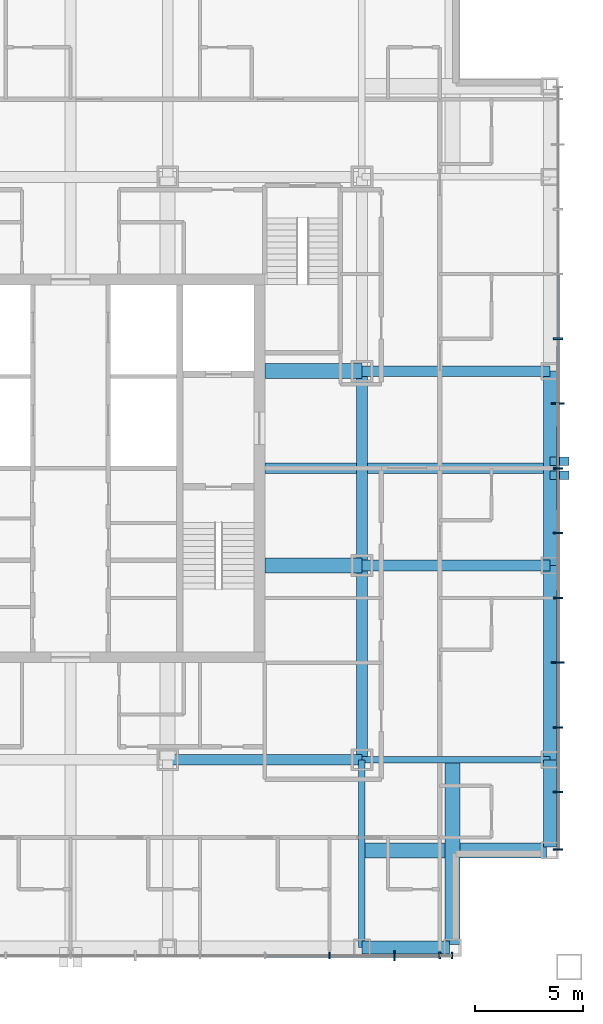
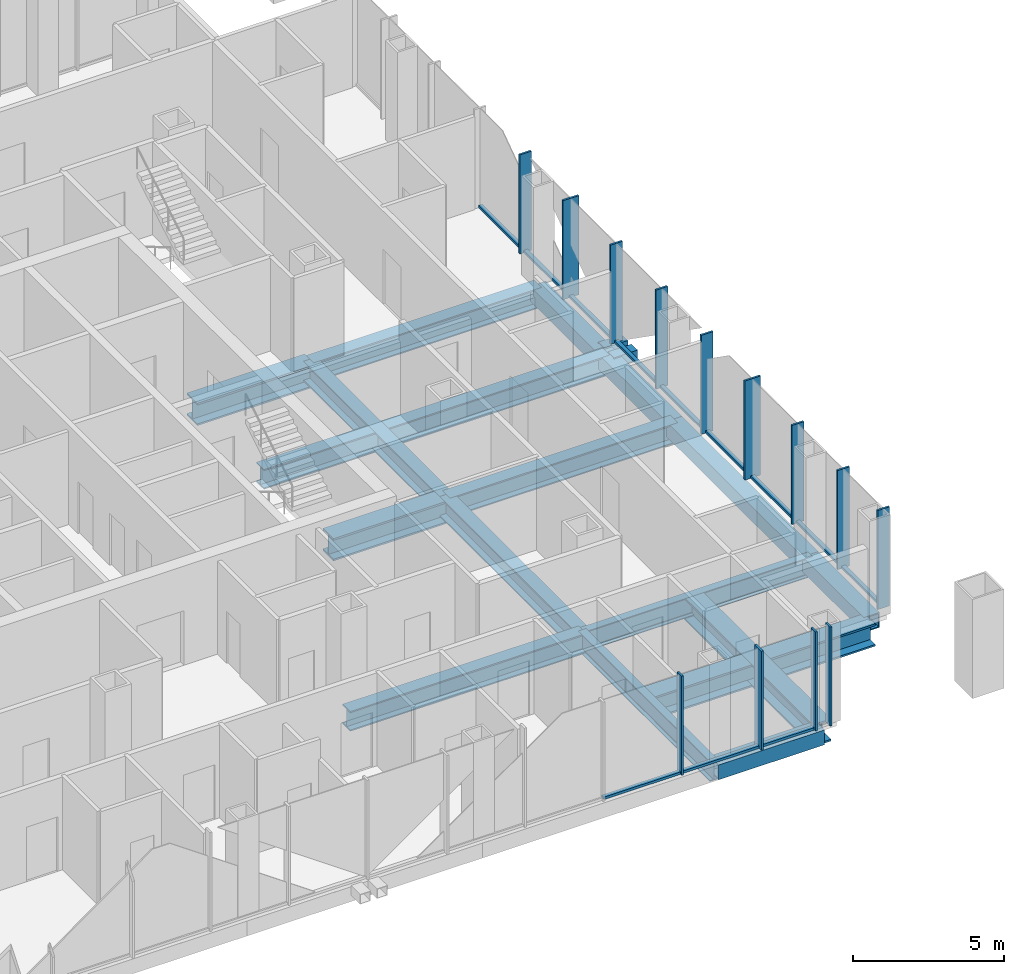
# One storey, part 3 of 17: 27 members, 16 beams, 2 elements without a shape of their own.
"""IFC4 building model written with IfcOpenShell, lengths in metres."""

import ifcopenshell
import ifcopenshell.guid

model = None  # the IFC model being written
_history = None  # IfcOwnerHistory: only IFC2X3 demands one
_inside = {}  # id of a spatial element -> (the spatial element, [elements in it])
_under = {}  # id of a project, library or spatial element -> (it, [spatial elements below it])
_declared = {}  # id of a project -> (the project, [libraries it declares])
_typed = {}  # id of a type object -> (the type object, [elements of that type])
_made_of = {}  # id of a material, layer set ... -> (it, [elements and type objects made of it])


def new_model(schema):
    """Start an empty IFC model of exactly this schema.

    Asked for "IFC4X3", IfcOpenShell would pick the latest addendum, in which some entities
    have other attributes; the version numbers below select the first issue.
    IFC2X3 requires an IfcOwnerHistory on every rooted entity: one is made here for all.
    """
    global model, _history
    if schema == "IFC4X3":
        model = ifcopenshell.file(schema_version=(4, 3, 0, 0))
    else:
        model = ifcopenshell.file(schema=schema)
    _inside.clear()
    _under.clear()
    _declared.clear()
    _typed.clear()
    _made_of.clear()
    _history = None
    if model.schema == "IFC2X3":
        org = make("IfcOrganization", Name="unknown")
        user = make(
            "IfcPersonAndOrganization",
            ThePerson=make("IfcPerson", FamilyName="unknown"),
            TheOrganization=org,
        )
        app = make(
            "IfcApplication",
            ApplicationDeveloper=org,
            Version="unknown",
            ApplicationFullName="unknown",
            ApplicationIdentifier="unknown",
        )
        _history = make(
            "IfcOwnerHistory",
            OwningUser=user,
            OwningApplication=app,
            ChangeAction="ADDED",
            CreationDate=0,
        )
    return model


def make(cls, **values):
    """One entity of the class cls with the attributes given. An attribute that is None is left unset."""
    return model.create_entity(
        cls, **{name: value for name, value in values.items() if value is not None}
    )


def rooted(cls, **values):
    """An entity with a GlobalId (a new one), such as an element, a storey or a relation."""
    return make(cls, GlobalId=ifcopenshell.guid.new(), OwnerHistory=_history, **values)


def si_unit(unit_type, name, prefix=None):
    """IfcSIUnit, for example si_unit("LENGTHUNIT", "METRE", prefix="MILLI")."""
    return make("IfcSIUnit", UnitType=unit_type, Prefix=prefix, Name=name)


def assignment(units):
    """IfcUnitAssignment: the units of a project."""
    return None if units is None else make("IfcUnitAssignment", Units=units)


def point(xyz):
    """IfcCartesianPoint."""
    return None if xyz is None else make("IfcCartesianPoint", Coordinates=xyz)


def direction(xyz):
    """IfcDirection."""
    return None if xyz is None else make("IfcDirection", DirectionRatios=xyz)


def frame(location, z_axis=None, x_axis=None):
    """IfcAxis2Placement3D, a coordinate frame: its origin and axes. An axis left out is left unset."""
    return make(
        "IfcAxis2Placement3D",
        Location=point(location),
        Axis=direction(z_axis),
        RefDirection=direction(x_axis),
    )


def frame_2d(location, x_axis=None):
    """IfcAxis2Placement2D, a coordinate frame in the plane: its origin and x axis."""
    return make(
        "IfcAxis2Placement2D", Location=point(location), RefDirection=direction(x_axis)
    )


def origin():
    """The frame at (0, 0, 0) with its axes left unset."""
    return frame((0.0, 0.0, 0.0))


def origin_2d():
    """The frame at (0, 0) in the plane with its x axis left unset."""
    return frame_2d((0.0, 0.0))


def place(relative_to, where):
    """IfcLocalPlacement: puts the frame where relative to a parent placement (None: the world)."""
    return make(
        "IfcLocalPlacement", PlacementRelTo=relative_to, RelativePlacement=where
    )


def context(
    kind, dimensions, precision=None, world=None, true_north=None, identifier=None
):
    """IfcGeometricRepresentationContext, for example the 3D "Model" context."""
    return make(
        "IfcGeometricRepresentationContext",
        ContextIdentifier=identifier,
        ContextType=kind,
        CoordinateSpaceDimension=dimensions,
        Precision=precision,
        WorldCoordinateSystem=world,
        TrueNorth=true_north,
    )


def subcontext(parent, identifier, kind, view, scale=None):
    """IfcGeometricRepresentationSubContext, for example "Body" below "Model"."""
    return make(
        "IfcGeometricRepresentationSubContext",
        ContextIdentifier=identifier,
        ContextType=kind,
        ParentContext=parent,
        TargetScale=scale,
        TargetView=view,
    )


def project(units=None, contexts=None):
    """IfcProject with its units and contexts."""
    return rooted(
        "IfcProject",
        Name="project",
        RepresentationContexts=contexts,
        UnitsInContext=assignment(units),
    )


def spatial(cls, under=None, at=None, **own):
    """A site, building, storey or space (cls), placed at a placement, below another one or the project."""
    s = rooted(cls, ObjectPlacement=at, **own)
    if under is not None:
        _under.setdefault(under.id(), (under, []))[1].append(s)
    return s


def profile(cls, at=None, kind="AREA", **sizes):
    """A parametric profile (cls). Its sizes go by their IFC names, for example OverallWidth=200.0."""
    return make(cls, ProfileType=kind, Position=at, **sizes)


def rectangle(**sizes):
    """IfcRectangleProfileDef."""
    return profile("IfcRectangleProfileDef", **sizes)


def hollow_rectangle(**sizes):
    """IfcRectangleHollowProfileDef."""
    return profile("IfcRectangleHollowProfileDef", **sizes)


def i_section(**sizes):
    """IfcIShapeProfileDef."""
    return profile("IfcIShapeProfileDef", **sizes)


def extrude(swept, where, along, depth):
    """IfcExtrudedAreaSolid: the profile swept, set in the frame where, extruded along a direction by depth."""
    return make(
        "IfcExtrudedAreaSolid",
        SweptArea=swept,
        Position=where,
        ExtrudedDirection=direction(along),
        Depth=depth,
    )


def shape(context_of_items, identifier, shape_type, items):
    """IfcShapeRepresentation: the items that make up one representation, for example the "Body"."""
    return make(
        "IfcShapeRepresentation",
        ContextOfItems=context_of_items,
        RepresentationIdentifier=identifier,
        RepresentationType=shape_type,
        Items=items,
    )


def material(Name=None, Category=None):
    """IfcMaterial."""
    return make("IfcMaterial", Name=Name, Category=Category)


def layer(
    of_material, thickness, ventilated=None, Name=None, Category=None, Priority=None
):
    """IfcMaterialLayer: one layer of a wall or slab, of a material (None: an air gap)."""
    return make(
        "IfcMaterialLayer",
        Material=of_material,
        LayerThickness=thickness,
        IsVentilated=ventilated,
        Name=Name,
        Category=Category,
        Priority=Priority,
    )


def layer_set(layers, Name=None):
    """IfcMaterialLayerSet."""
    return make("IfcMaterialLayerSet", MaterialLayers=layers, LayerSetName=Name)


def material_profile(
    of_material, cross_section, Name=None, Category=None, Priority=None
):
    """IfcMaterialProfile: a cross section and its material."""
    return make(
        "IfcMaterialProfile",
        Name=Name,
        Material=of_material,
        Profile=cross_section,
        Priority=Priority,
        Category=Category,
    )


def profile_set(profiles, Name=None, composite=None):
    """IfcMaterialProfileSet."""
    return make(
        "IfcMaterialProfileSet",
        Name=Name,
        MaterialProfiles=profiles,
        CompositeProfile=composite,
    )


def made_of(thing, what):
    """Note that an element or type object is made of a material, layer set ...; save() writes the relation."""
    if what is not None:
        _made_of.setdefault(what.id(), (what, []))[1].append(thing)
    return thing


def type_object(cls, material=None, **own):
    """A type object (cls), such as IfcWallType, which elements share."""
    return made_of(rooted(cls, **own), material)


def element(
    cls,
    number,
    at=None,
    inside=None,
    cuts=None,
    type_object=None,
    material=None,
    context=None,
    identifier="Body",
    shape_type=None,
    held_by="IfcProductDefinitionShape",
    body=None,
    shapes=None,
    **own,
):
    """One element of the class cls, such as IfcWall. Its Tag is "e" and its number.

    at: its placement. inside: the storey or other place that contains it. cuts: it is an
    opening in that element (IfcRelVoidsElement). A single representation is given by context,
    identifier, shape_type and body (its items); several are given by shapes. held_by: the class
    of the entity that holds the representations. save() writes the other relations.
    """
    e = rooted(cls, Tag="e%d" % number, ObjectPlacement=at, **own)
    if body is not None:
        shapes = [shape(context, identifier, shape_type, body)]
    if shapes is not None:
        e.Representation = make(held_by, Representations=shapes)
    if inside is not None:
        _inside.setdefault(inside.id(), (inside, []))[1].append(e)
    if cuts is not None:
        rooted(
            "IfcRelVoidsElement", RelatingBuildingElement=cuts, RelatedOpeningElement=e
        )
    if type_object is not None:
        _typed.setdefault(type_object.id(), (type_object, []))[1].append(e)
    return made_of(e, material)


def aggregate(whole, parts):
    """IfcRelAggregates: a whole, such as a stair, and the parts it consists of."""
    return rooted("IfcRelAggregates", RelatingObject=whole, RelatedObjects=parts)


def save(model, path):
    """Write the relations noted so far, then the file.

    IfcRelAggregates (storeys below a building ...), IfcRelContainedInSpatialStructure (elements
    in a storey), IfcRelDefinesByType, IfcRelAssociatesMaterial and IfcRelDeclares: one each for
    every whole, place, type object, material and project.
    """
    for whole, parts in _under.values():
        aggregate(whole, parts)
    for where, things in _inside.values():
        rooted(
            "IfcRelContainedInSpatialStructure",
            RelatedElements=things,
            RelatingStructure=where,
        )
    for kind, things in _typed.values():
        rooted("IfcRelDefinesByType", RelatedObjects=things, RelatingType=kind)
    for what, things in _made_of.values():
        rooted("IfcRelAssociatesMaterial", RelatedObjects=things, RelatingMaterial=what)
    for by, libraries in _declared.values():
        rooted("IfcRelDeclares", RelatingContext=by, RelatedDefinitions=libraries)
    model.write(path)


model = new_model("IFC4")

# Units and contexts
model_context = context("Model", 3, precision=1e-05, world=origin(), true_north=direction((0.0, 1.0)))
body_context = subcontext(model_context, "Body", "Model", "MODEL_VIEW")
ifc_project = project(units=[si_unit("LENGTHUNIT", "METRE"), si_unit("AREAUNIT", "SQUARE_METRE"), si_unit("VOLUMEUNIT", "CUBIC_METRE"), si_unit("PLANEANGLEUNIT", "RADIAN"), si_unit("MASSUNIT", "GRAM", prefix="KILO")], contexts=[model_context])

# Site, building, storey
site_placement = place(None, origin())
site = spatial("IfcSite", under=ifc_project, at=site_placement, CompositionType="ELEMENT")
building_placement = place(site_placement, origin())
building = spatial("IfcBuilding", under=site, at=building_placement, Name="Malebo Sky Hospital", CompositionType="ELEMENT")
storey_placement = place(building_placement, frame((0.0, 0.0, 193.0)))
storey = spatial("IfcBuildingStorey", under=building, at=storey_placement, Name="L46", CompositionType="ELEMENT", Elevation=193.0)

# Curtain wall, members
ifc_material_1 = material(Name="Anodised aluminium, natural silver", Category="aluminium")
ifc_layer_1 = layer(ifc_material_1, 0.25)
ifc_layer_set_1 = layer_set([ifc_layer_1], Name="WARD CURTAIN WALL NORTH AND SOUTH")
curtain_wall_type_1 = type_object("IfcCurtainWallType", Name="WARD CURTAIN WALL NORTH AND SOUTH", PredefinedType="NOTDEFINED", material=ifc_layer_set_1)
curtain_wall_1_placement = place(storey_placement, origin())
curtain_wall_1 = element("IfcCurtainWall", 1, at=curtain_wall_1_placement, inside=storey, type_object=curtain_wall_type_1, Name="NS curtain wall S", PredefinedType="NOTDEFINED")
ifc_material_profile_1 = material_profile(ifc_material_1, rectangle(XDim=0.14990234375, YDim=0.10009765625, at=origin_2d()), Name="ALUMINIUM TRANSOM 150x100")
ifc_profile_set_1 = profile_set([ifc_material_profile_1], Name="Anodised aluminium, natural silver")
member_type_1 = type_object("IfcMemberType", Name="ALUMINIUM TRANSOM 150x100", PredefinedType="USERDEFINED", material=ifc_profile_set_1)
member_1_placement = place(storey_placement, frame((77.0625, 39.425048828125, 0.050048828125), z_axis=(-1.0, 0.0, 0.0), x_axis=(0.0, -1.0, 0.0)))
member_1 = element("IfcMember", 2, at=member_1_placement, type_object=member_type_1, Name="Transom 2", ObjectType="TRANSOM", PredefinedType="USERDEFINED", context=body_context, shape_type="SweptSolid", body=[
    extrude(rectangle(XDim=0.14990234375, YDim=0.10009765625, at=origin_2d()), origin(), (0.0, 0.0, 1.0), 2.02490234375),
])
member_2_placement = place(storey_placement, frame((74.96240234375, 39.425048828125, 0.050048828125), z_axis=(-1.0, 0.0, 0.0), x_axis=(0.0, -1.0, 0.0)))
member_2 = element("IfcMember", 3, at=member_2_placement, type_object=member_type_1, Name="Transom 3", ObjectType="TRANSOM", PredefinedType="USERDEFINED", context=body_context, shape_type="SweptSolid", body=[
    extrude(rectangle(XDim=0.14990234375, YDim=0.10009765625, at=origin_2d()), origin(), (0.0, 0.0, 1.0), 2.9248046875),
])
member_3_placement = place(storey_placement, frame((71.96240234375, 39.425048828125, 0.050048828125), z_axis=(-1.0, 0.0, 0.0), x_axis=(0.0, -1.0, 0.0)))
member_3 = element("IfcMember", 4, at=member_3_placement, type_object=member_type_1, Name="Transom 4", ObjectType="TRANSOM", PredefinedType="USERDEFINED", context=body_context, shape_type="SweptSolid", body=[
    extrude(rectangle(XDim=0.14990234375, YDim=0.10009765625, at=origin_2d()), origin(), (0.0, 0.0, 1.0), 2.9248046875),
])

ifc_layer_2 = layer(ifc_material_1, 0.25)
ifc_layer_set_2 = layer_set([ifc_layer_2], Name="WARD CURTAIN WALL EAST AND WEST")
curtain_wall_type_2 = type_object("IfcCurtainWallType", Name="WARD CURTAIN WALL EAST AND WEST", PredefinedType="NOTDEFINED", material=ifc_layer_set_2)
curtain_wall_2_placement = place(storey_placement, origin())
curtain_wall_2 = element("IfcCurtainWall", 5, at=curtain_wall_2_placement, inside=storey, type_object=curtain_wall_type_2, Name="EW curtain wall E", PredefinedType="NOTDEFINED")
member_4_placement = place(storey_placement, frame((82.574951171875, 70.96240234375, 0.050048828125), z_axis=(0.0, -1.0, 0.0), x_axis=(1.0, 0.0, 0.0)))
member_4 = element("IfcMember", 6, at=member_4_placement, type_object=member_type_1, Name="Transom 5", ObjectType="TRANSOM", PredefinedType="USERDEFINED", context=body_context, shape_type="SweptSolid", body=[
    extrude(rectangle(XDim=0.14990234375, YDim=0.10009765625, at=origin_2d()), origin(), (0.0, 0.0, 1.0), 2.9248046875),
])
member_5_placement = place(storey_placement, frame((82.574951171875, 67.96240234375, 0.050048828125), z_axis=(0.0, -1.0, 0.0), x_axis=(1.0, 0.0, 0.0)))
member_5 = element("IfcMember", 7, at=member_5_placement, type_object=member_type_1, Name="Transom 6", ObjectType="TRANSOM", PredefinedType="USERDEFINED", context=body_context, shape_type="SweptSolid", body=[
    extrude(rectangle(XDim=0.14990234375, YDim=0.10009765625, at=origin_2d()), origin(), (0.0, 0.0, 1.0), 2.9248046875),
])
member_6_placement = place(storey_placement, frame((82.574951171875, 64.96240234375, 0.050048828125), z_axis=(0.0, -1.0, 0.0), x_axis=(1.0, 0.0, 0.0)))
member_6 = element("IfcMember", 8, at=member_6_placement, type_object=member_type_1, Name="Transom 7", ObjectType="TRANSOM", PredefinedType="USERDEFINED", context=body_context, shape_type="SweptSolid", body=[
    extrude(rectangle(XDim=0.14990234375, YDim=0.10009765625, at=origin_2d()), origin(), (0.0, 0.0, 1.0), 2.9248046875),
])
member_7_placement = place(storey_placement, frame((82.574951171875, 61.96240234375, 0.050048828125), z_axis=(0.0, -1.0, 0.0), x_axis=(1.0, 0.0, 0.0)))
member_7 = element("IfcMember", 9, at=member_7_placement, type_object=member_type_1, Name="Transom 8", ObjectType="TRANSOM", PredefinedType="USERDEFINED", context=body_context, shape_type="SweptSolid", body=[
    extrude(rectangle(XDim=0.14990234375, YDim=0.10009765625, at=origin_2d()), origin(), (0.0, 0.0, 1.0), 2.9248046875),
])
member_8_placement = place(storey_placement, frame((82.574951171875, 58.96240234375, 0.050048828125), z_axis=(0.0, -1.0, 0.0), x_axis=(1.0, 0.0, 0.0)))
member_8 = element("IfcMember", 10, at=member_8_placement, type_object=member_type_1, Name="Transom 9", ObjectType="TRANSOM", PredefinedType="USERDEFINED", context=body_context, shape_type="SweptSolid", body=[
    extrude(rectangle(XDim=0.14990234375, YDim=0.10009765625, at=origin_2d()), origin(), (0.0, 0.0, 1.0), 2.9248046875),
])
member_9_placement = place(storey_placement, frame((82.574951171875, 55.96240234375, 0.050048828125), z_axis=(0.0, -1.0, 0.0), x_axis=(1.0, 0.0, 0.0)))
member_9 = element("IfcMember", 11, at=member_9_placement, type_object=member_type_1, Name="Transom 10", ObjectType="TRANSOM", PredefinedType="USERDEFINED", context=body_context, shape_type="SweptSolid", body=[
    extrude(rectangle(XDim=0.14990234375, YDim=0.10009765625, at=origin_2d()), origin(), (0.0, 0.0, 1.0), 2.9248046875),
])
member_10_placement = place(storey_placement, frame((82.574951171875, 52.96240234375, 0.050048828125), z_axis=(0.0, -1.0, 0.0), x_axis=(1.0, 0.0, 0.0)))
member_10 = element("IfcMember", 12, at=member_10_placement, type_object=member_type_1, Name="Transom 11", ObjectType="TRANSOM", PredefinedType="USERDEFINED", context=body_context, shape_type="SweptSolid", body=[
    extrude(rectangle(XDim=0.14990234375, YDim=0.10009765625, at=origin_2d()), origin(), (0.0, 0.0, 1.0), 2.9248046875),
])
member_11_placement = place(storey_placement, frame((82.574951171875, 49.96240234375, 0.050048828125), z_axis=(0.0, -1.0, 0.0), x_axis=(1.0, 0.0, 0.0)))
member_11 = element("IfcMember", 13, at=member_11_placement, type_object=member_type_1, Name="Transom 12", ObjectType="TRANSOM", PredefinedType="USERDEFINED", context=body_context, shape_type="SweptSolid", body=[
    extrude(rectangle(XDim=0.14990234375, YDim=0.10009765625, at=origin_2d()), origin(), (0.0, 0.0, 1.0), 2.9248046875),
])
member_12_placement = place(storey_placement, frame((82.574951171875, 46.96240234375, 0.050048828125), z_axis=(0.0, -1.0, 0.0), x_axis=(1.0, 0.0, 0.0)))
member_12 = element("IfcMember", 14, at=member_12_placement, type_object=member_type_1, Name="Transom 13", ObjectType="TRANSOM", PredefinedType="USERDEFINED", context=body_context, shape_type="SweptSolid", body=[
    extrude(rectangle(XDim=0.14990234375, YDim=0.10009765625, at=origin_2d()), origin(), (0.0, 0.0, 1.0), 2.58740234375),
])

# Members
ifc_material_2 = material(Name="Steel S355", Category="steel")
ifc_material_profile_2 = material_profile(ifc_material_2, hollow_rectangle(XDim=0.39990234375, YDim=0.39990234375, WallThickness=0.02001953125, at=origin_2d()), Name="SHS 400x20")
ifc_profile_set_2 = profile_set([ifc_material_profile_2], Name="Steel S355")
member_type_2 = type_object("IfcMemberType", Name="BRACE STRUT SHS 400x20", PredefinedType="STRUT", material=ifc_profile_set_2)
for number, where, z_axis, x_axis, name in (
    (15, (83.10009765625, 62.3203125, -0.39990234375), (-1.0, 0.0, 0.0), (0.0, -1.0, 0.0), "Brace strut CE1 L46"),
    (16, (83.10009765625, 61.6796875, -0.39990234375), (-1.0, 0.0, 0.0), (0.0, -1.0, 0.0), "Brace strut CE2 L46"),
):
    element("IfcMember", number, at=place(storey_placement, frame(where, z_axis=z_axis, x_axis=x_axis)), inside=storey, type_object=member_type_2, Name=name, PredefinedType="STRUT", context=body_context, shape_type="SweptSolid", body=[
        extrude(hollow_rectangle(XDim=0.39990234375, YDim=0.39990234375, WallThickness=0.02001953125, at=origin_2d()), origin(), (0.0, 0.0, 1.0), 0.900146484375),
    ])

# Member
ifc_material_profile_3 = material_profile(ifc_material_1, rectangle(XDim=0.074951171875, YDim=0.300048828125, at=origin_2d()), Name="CW1 ALUMINIUM FIN MULLION 75x300")
ifc_profile_set_3 = profile_set([ifc_material_profile_3], Name="Anodised aluminium, natural silver")
member_type_3 = type_object("IfcMemberType", Name="CW1 ALUMINIUM FIN MULLION 75x300", PredefinedType="MULLION", material=ifc_profile_set_3)
member_13_placement = place(storey_placement, frame((77.66259765625, 39.425048828125, 0.0), z_axis=(0.0, 0.0, 1.0), x_axis=(-1.0, 0.0, 0.0)))
member_13 = element("IfcMember", 17, at=member_13_placement, type_object=member_type_3, Name="Fin mullion 1", PredefinedType="MULLION", context=body_context, shape_type="SweptSolid", body=[
    extrude(rectangle(XDim=0.074951171875, YDim=0.300048828125, at=origin_2d()), origin(), (0.0, 0.0, 1.0), 4.0),
])

member_14_placement = place(storey_placement, frame((77.10009765625, 39.425048828125, 0.0), z_axis=(0.0, 0.0, 1.0), x_axis=(-1.0, 0.0, 0.0)))
member_14 = element("IfcMember", 18, at=member_14_placement, type_object=member_type_3, Name="Fin mullion 2", PredefinedType="MULLION", context=body_context, shape_type="SweptSolid", body=[
    extrude(rectangle(XDim=0.074951171875, YDim=0.300048828125, at=origin_2d()), origin(), (0.0, 0.0, 1.0), 4.0),
])

member_15_placement = place(storey_placement, frame((72.0, 39.425048828125, 0.0), z_axis=(0.0, 0.0, 1.0), x_axis=(-1.0, 0.0, 0.0)))
member_15 = element("IfcMember", 19, at=member_15_placement, type_object=member_type_3, Name="Fin mullion 4", PredefinedType="MULLION", context=body_context, shape_type="SweptSolid", body=[
    extrude(rectangle(XDim=0.074951171875, YDim=0.300048828125, at=origin_2d()), origin(), (0.0, 0.0, 1.0), 4.0),
])

ifc_material_profile_4 = material_profile(ifc_material_1, rectangle(XDim=0.074951171875, YDim=0.449951171875, at=origin_2d()), Name="CW1 ALUMINIUM FIN MULLION 75x450")
ifc_profile_set_4 = profile_set([ifc_material_profile_4], Name="Anodised aluminium, natural silver")
member_type_4 = type_object("IfcMemberType", Name="CW1 ALUMINIUM FIN MULLION 75x450", PredefinedType="MULLION", material=ifc_profile_set_4)
member_16_placement = place(storey_placement, frame((75.0, 39.425048828125, 0.0), z_axis=(0.0, 0.0, 1.0), x_axis=(-1.0, 0.0, 0.0)))
member_16 = element("IfcMember", 20, at=member_16_placement, type_object=member_type_4, Name="Fin mullion 3", PredefinedType="MULLION", context=body_context, shape_type="SweptSolid", body=[
    extrude(rectangle(XDim=0.074951171875, YDim=0.449951171875, at=origin_2d()), origin(), (0.0, 0.0, 1.0), 4.0),
])

aggregate(curtain_wall_1, [member_13, member_14, member_16, member_15, member_1, member_2, member_3])

ifc_material_profile_5 = material_profile(ifc_material_1, rectangle(XDim=0.074951171875, YDim=0.449951171875, at=origin_2d()), Name="CW2 ALUMINIUM FIN MULLION 75x450")
ifc_profile_set_5 = profile_set([ifc_material_profile_5], Name="Anodised aluminium, natural silver")
member_type_5 = type_object("IfcMemberType", Name="CW2 ALUMINIUM FIN MULLION 75x450", PredefinedType="MULLION", material=ifc_profile_set_5)
member_17_placement = place(storey_placement, frame((82.574951171875, 68.0, 0.0), z_axis=(0.0, 0.0, 1.0), x_axis=(0.0, -1.0, 0.0)))
member_17 = element("IfcMember", 21, at=member_17_placement, type_object=member_type_5, Name="Fin mullion 6", PredefinedType="MULLION", context=body_context, shape_type="SweptSolid", body=[
    extrude(rectangle(XDim=0.074951171875, YDim=0.449951171875, at=origin_2d()), origin(), (0.0, 0.0, 1.0), 4.0),
])

member_18_placement = place(storey_placement, frame((82.574951171875, 62.0, 0.0), z_axis=(0.0, 0.0, 1.0), x_axis=(0.0, -1.0, 0.0)))
member_18 = element("IfcMember", 22, at=member_18_placement, type_object=member_type_5, Name="Fin mullion 8", PredefinedType="MULLION", context=body_context, shape_type="SweptSolid", body=[
    extrude(rectangle(XDim=0.074951171875, YDim=0.449951171875, at=origin_2d()), origin(), (0.0, 0.0, 1.0), 4.0),
])

member_19_placement = place(storey_placement, frame((82.574951171875, 59.0, 0.0), z_axis=(0.0, 0.0, 1.0), x_axis=(0.0, -1.0, 0.0)))
member_19 = element("IfcMember", 23, at=member_19_placement, type_object=member_type_5, Name="Fin mullion 9", PredefinedType="MULLION", context=body_context, shape_type="SweptSolid", body=[
    extrude(rectangle(XDim=0.074951171875, YDim=0.449951171875, at=origin_2d()), origin(), (0.0, 0.0, 1.0), 4.0),
])

member_20_placement = place(storey_placement, frame((82.574951171875, 56.0, 0.0), z_axis=(0.0, 0.0, 1.0), x_axis=(0.0, -1.0, 0.0)))
member_20 = element("IfcMember", 24, at=member_20_placement, type_object=member_type_5, Name="Fin mullion 10", PredefinedType="MULLION", context=body_context, shape_type="SweptSolid", body=[
    extrude(rectangle(XDim=0.074951171875, YDim=0.449951171875, at=origin_2d()), origin(), (0.0, 0.0, 1.0), 4.0),
])

member_21_placement = place(storey_placement, frame((82.574951171875, 50.0, 0.0), z_axis=(0.0, 0.0, 1.0), x_axis=(0.0, -1.0, 0.0)))
member_21 = element("IfcMember", 25, at=member_21_placement, type_object=member_type_5, Name="Fin mullion 12", PredefinedType="MULLION", context=body_context, shape_type="SweptSolid", body=[
    extrude(rectangle(XDim=0.074951171875, YDim=0.449951171875, at=origin_2d()), origin(), (0.0, 0.0, 1.0), 4.0),
])

member_22_placement = place(storey_placement, frame((82.574951171875, 47.0, 0.0), z_axis=(0.0, 0.0, 1.0), x_axis=(0.0, -1.0, 0.0)))
member_22 = element("IfcMember", 26, at=member_22_placement, type_object=member_type_5, Name="Fin mullion 13", PredefinedType="MULLION", context=body_context, shape_type="SweptSolid", body=[
    extrude(rectangle(XDim=0.074951171875, YDim=0.449951171875, at=origin_2d()), origin(), (0.0, 0.0, 1.0), 4.0),
])

member_23_placement = place(storey_placement, frame((82.574951171875, 44.33740234375, 0.0), z_axis=(0.0, 0.0, 1.0), x_axis=(0.0, -1.0, 0.0)))
member_23 = element("IfcMember", 27, at=member_23_placement, type_object=member_type_5, Name="Fin mullion 14", PredefinedType="MULLION", context=body_context, shape_type="SweptSolid", body=[
    extrude(rectangle(XDim=0.074951171875, YDim=0.449951171875, at=origin_2d()), origin(), (0.0, 0.0, 1.0), 4.0),
])

ifc_material_profile_6 = material_profile(ifc_material_1, rectangle(XDim=0.074951171875, YDim=0.60009765625, at=origin_2d()), Name="CW2 ALUMINIUM FIN MULLION 75x600")
ifc_profile_set_6 = profile_set([ifc_material_profile_6], Name="Anodised aluminium, natural silver")
member_type_6 = type_object("IfcMemberType", Name="CW2 ALUMINIUM FIN MULLION 75x600", PredefinedType="MULLION", material=ifc_profile_set_6)
member_24_placement = place(storey_placement, frame((82.574951171875, 65.0, 0.0), z_axis=(0.0, 0.0, 1.0), x_axis=(0.0, -1.0, 0.0)))
member_24 = element("IfcMember", 28, at=member_24_placement, type_object=member_type_6, Name="Fin mullion 7", PredefinedType="MULLION", context=body_context, shape_type="SweptSolid", body=[
    extrude(rectangle(XDim=0.074951171875, YDim=0.60009765625, at=origin_2d()), origin(), (0.0, 0.0, 1.0), 4.0),
])

member_25_placement = place(storey_placement, frame((82.574951171875, 53.0, 0.0), z_axis=(0.0, 0.0, 1.0), x_axis=(0.0, -1.0, 0.0)))
member_25 = element("IfcMember", 29, at=member_25_placement, type_object=member_type_6, Name="Fin mullion 11", PredefinedType="MULLION", context=body_context, shape_type="SweptSolid", body=[
    extrude(rectangle(XDim=0.074951171875, YDim=0.60009765625, at=origin_2d()), origin(), (0.0, 0.0, 1.0), 4.0),
])

aggregate(curtain_wall_2, [member_17, member_24, member_18, member_19, member_20, member_25, member_21, member_22, member_23, member_4, member_5, member_6, member_7, member_8, member_9, member_10, member_11, member_12])

# Beams
ifc_material_3 = material(Name="Steel S460", Category="steel")
ifc_material_profile_7 = material_profile(ifc_material_3, hollow_rectangle(XDim=0.60009765625, YDim=0.60009765625, WallThickness=0.0400390625, at=origin_2d()), Name="BOX 600x600x40")
ifc_profile_set_7 = profile_set([ifc_material_profile_7], Name="Steel S460")
beam_type_1 = type_object("IfcBeamType", Name="EDGE BEAM BOX 600x600x40", PredefinedType="BEAM", material=ifc_profile_set_7)
beam_1_placement = place(storey_placement, frame((82.199951171875, 44.449951171875, -0.550048828125), z_axis=(0.0, 1.0, 0.0), x_axis=(-1.0, 0.0, 0.0)))
element("IfcBeam", 30, at=beam_1_placement, inside=storey, type_object=beam_type_1, Name="Beam 029 L46", PredefinedType="BEAM", context=body_context, shape_type="SweptSolid", body=[
    extrude(hollow_rectangle(XDim=0.60009765625, YDim=0.60009765625, WallThickness=0.0400390625, at=origin_2d()), origin(), (0.0, 0.0, 1.0), 4.050048828125),
])
for number, where, z_axis, x_axis, name in (
    (31, (82.199951171875, 48.5, -0.550048828125), (0.0, 1.0, 0.0), (-1.0, 0.0, 0.0), "Beam 030 L46"),
    (32, (82.199951171875, 57.5, -0.550048828125), (0.0, 1.0, 0.0), (-1.0, 0.0, 0.0), "Beam 031 L46"),
):
    element("IfcBeam", number, at=place(storey_placement, frame(where, z_axis=z_axis, x_axis=x_axis)), inside=storey, type_object=beam_type_1, Name=name, PredefinedType="BEAM", context=body_context, shape_type="SweptSolid", body=[
        extrude(hollow_rectangle(XDim=0.60009765625, YDim=0.60009765625, WallThickness=0.0400390625, at=origin_2d()), origin(), (0.0, 0.0, 1.0), 9.0),
    ])
beam_2_placement = place(storey_placement, frame((73.5, 39.800048828125, -0.550048828125), z_axis=(1.0, 0.0, 0.0), x_axis=(0.0, 1.0, 0.0)))
element("IfcBeam", 33, at=beam_2_placement, inside=storey, type_object=beam_type_1, Name="Beam 038 L46", PredefinedType="BEAM", context=body_context, shape_type="SweptSolid", body=[
    extrude(hollow_rectangle(XDim=0.60009765625, YDim=0.60009765625, WallThickness=0.0400390625, at=origin_2d()), origin(), (0.0, 0.0, 1.0), 4.050048828125),
])
ifc_material_profile_8 = material_profile(ifc_material_2, i_section(OverallWidth=0.5, OverallDepth=0.800048828125, WebThickness=0.030029296875, FlangeThickness=0.050048828125, at=origin_2d()), Name="PG 800x500x30x50")
ifc_profile_set_8 = profile_set([ifc_material_profile_8], Name="Steel S355")
beam_type_2 = type_object("IfcBeamType", Name="FLOOR BEAM PG 800x500x30x50", PredefinedType="BEAM", material=ifc_profile_set_8)
for number, where, z_axis, x_axis, name in (
    (34, (73.5, 48.5, -0.64990234375), (0.0, 1.0, 0.0), (-1.0, 0.0, 0.0), "Beam 023 L46"),
    (35, (64.5, 48.5, -0.64990234375), (1.0, 0.0, 0.0), (0.0, 1.0, 0.0), "Beam 044 L46"),
):
    element("IfcBeam", number, at=place(storey_placement, frame(where, z_axis=z_axis, x_axis=x_axis)), inside=storey, type_object=beam_type_2, Name=name, PredefinedType="BEAM", context=body_context, shape_type="SweptSolid", body=[
        extrude(i_section(OverallWidth=0.5, OverallDepth=0.800048828125, WebThickness=0.030029296875, FlangeThickness=0.050048828125, at=origin_2d()), origin(), (0.0, 0.0, 1.0), 9.0),
    ])
beam_3_placement = place(storey_placement, frame((73.5, 57.5, -0.64990234375), z_axis=(1.0, 0.0, 0.0), x_axis=(0.0, 1.0, 0.0)))
element("IfcBeam", 36, at=beam_3_placement, inside=storey, type_object=beam_type_2, Name="Beam 049 L46", PredefinedType="BEAM", context=body_context, shape_type="SweptSolid", body=[
    extrude(i_section(OverallWidth=0.5, OverallDepth=0.800048828125, WebThickness=0.030029296875, FlangeThickness=0.050048828125, at=origin_2d()), origin(), (0.0, 0.0, 1.0), 8.699951171875),
])
beam_4_placement = place(storey_placement, frame((69.0, 62.0, -0.64990234375), z_axis=(1.0, 0.0, 0.0), x_axis=(0.0, 1.0, 0.0)))
element("IfcBeam", 37, at=beam_4_placement, inside=storey, type_object=beam_type_2, Name="Beam 051 L46", PredefinedType="BEAM", context=body_context, shape_type="SweptSolid", body=[
    extrude(i_section(OverallWidth=0.5, OverallDepth=0.800048828125, WebThickness=0.030029296875, FlangeThickness=0.050048828125, at=origin_2d()), origin(), (0.0, 0.0, 1.0), 13.199951171875),
])
beam_5_placement = place(storey_placement, frame((73.5, 66.5, -0.64990234375), z_axis=(1.0, 0.0, 0.0), x_axis=(0.0, 1.0, 0.0)))
element("IfcBeam", 38, at=beam_5_placement, inside=storey, type_object=beam_type_2, Name="Beam 055 L46", PredefinedType="BEAM", context=body_context, shape_type="SweptSolid", body=[
    extrude(i_section(OverallWidth=0.5, OverallDepth=0.800048828125, WebThickness=0.030029296875, FlangeThickness=0.050048828125, at=origin_2d()), origin(), (0.0, 0.0, 1.0), 8.699951171875),
])
ifc_material_profile_9 = material_profile(ifc_material_2, i_section(OverallWidth=0.699951171875, OverallDepth=0.89990234375, WebThickness=0.0400390625, FlangeThickness=0.070068359375, at=origin_2d()), Name="PG 900x700x40x70")
ifc_profile_set_9 = profile_set([ifc_material_profile_9], Name="Steel S355")
beam_type_3 = type_object("IfcBeamType", Name="FLOOR BEAM PG 900x700x40x70", PredefinedType="BEAM", material=ifc_profile_set_9)
for number, where, z_axis, x_axis, name in (
    (39, (77.699951171875, 39.949951171875, -0.699951171875), (0.0, 1.0, 0.0), (-1.0, 0.0, 0.0), "Beam 027 L46"),
    (40, (73.5, 44.300048828125, -0.699951171875), (1.0, 0.0, 0.0), (0.0, 1.0, 0.0), "Beam 040 L46"),
):
    element("IfcBeam", number, at=place(storey_placement, frame(where, z_axis=z_axis, x_axis=x_axis)), inside=storey, type_object=beam_type_3, Name=name, PredefinedType="BEAM", context=body_context, shape_type="SweptSolid", body=[
        extrude(i_section(OverallWidth=0.699951171875, OverallDepth=0.89990234375, WebThickness=0.0400390625, FlangeThickness=0.070068359375, at=origin_2d()), origin(), (0.0, 0.0, 1.0), 8.550048828125),
    ])
for number, where, z_axis, x_axis, name in (
    (41, (69.0, 57.5, -0.699951171875), (1.0, 0.0, 0.0), (0.0, 1.0, 0.0), "Beam 048 L46"),
    (42, (69.0, 66.5, -0.699951171875), (1.0, 0.0, 0.0), (0.0, 1.0, 0.0), "Beam 054 L46"),
):
    element("IfcBeam", number, at=place(storey_placement, frame(where, z_axis=z_axis, x_axis=x_axis)), inside=storey, type_object=beam_type_3, Name=name, PredefinedType="BEAM", context=body_context, shape_type="SweptSolid", body=[
        extrude(i_section(OverallWidth=0.699951171875, OverallDepth=0.89990234375, WebThickness=0.0400390625, FlangeThickness=0.070068359375, at=origin_2d()), origin(), (0.0, 0.0, 1.0), 4.5),
    ])
ifc_material_profile_10 = material_profile(ifc_material_2, i_section(OverallWidth=0.300048828125, OverallDepth=0.800048828125, WebThickness=0.017578125, FlangeThickness=0.032958984375, FilletRadius=0.030029296875, at=origin_2d()), Name="HEB 800")
ifc_profile_set_10 = profile_set([ifc_material_profile_10], Name="Steel S355")
beam_type_4 = type_object("IfcBeamType", Name="FLOOR GIRDER HEB 800", PredefinedType="BEAM", material=ifc_profile_set_10)
for number, where, z_axis, x_axis, name in (
    (43, (73.5, 39.800048828125, -0.64990234375), (0.0, 1.0, 0.0), (-1.0, 0.0, 0.0), "Beam 022 L46"),
    (44, (73.5, 48.5, -0.64990234375), (1.0, 0.0, 0.0), (0.0, 1.0, 0.0), "Beam 045 L46"),
):
    element("IfcBeam", number, at=place(storey_placement, frame(where, z_axis=z_axis, x_axis=x_axis)), inside=storey, type_object=beam_type_4, Name=name, PredefinedType="BEAM", context=body_context, shape_type="SweptSolid", body=[
        extrude(i_section(OverallWidth=0.300048828125, OverallDepth=0.800048828125, WebThickness=0.017578125, FlangeThickness=0.032958984375, FilletRadius=0.030029296875, at=origin_2d()), origin(), (0.0, 0.0, 1.0), 8.699951171875),
    ])
ifc_material_profile_11 = material_profile(ifc_material_2, i_section(OverallWidth=0.5, OverallDepth=0.800048828125, WebThickness=0.030029296875, FlangeThickness=0.050048828125, at=origin_2d()), Name="PG 800x500x30x50")
ifc_profile_set_11 = profile_set([ifc_material_profile_11], Name="Steel S355")
beam_type_5 = type_object("IfcBeamType", Name="RING GIRDER PG 800x500x30x50", PredefinedType="BEAM", material=ifc_profile_set_11)
beam_6_placement = place(storey_placement, frame((73.5, 57.5, -0.64990234375), z_axis=(0.0, 1.0, 0.0), x_axis=(-1.0, 0.0, 0.0)))
element("IfcBeam", 45, at=beam_6_placement, inside=storey, type_object=beam_type_5, Name="Beam 024 L46", PredefinedType="BEAM", context=body_context, shape_type="SweptSolid", body=[
    extrude(i_section(OverallWidth=0.5, OverallDepth=0.800048828125, WebThickness=0.030029296875, FlangeThickness=0.050048828125, at=origin_2d()), origin(), (0.0, 0.0, 1.0), 9.0),
])

save(model, "model.ifc")
